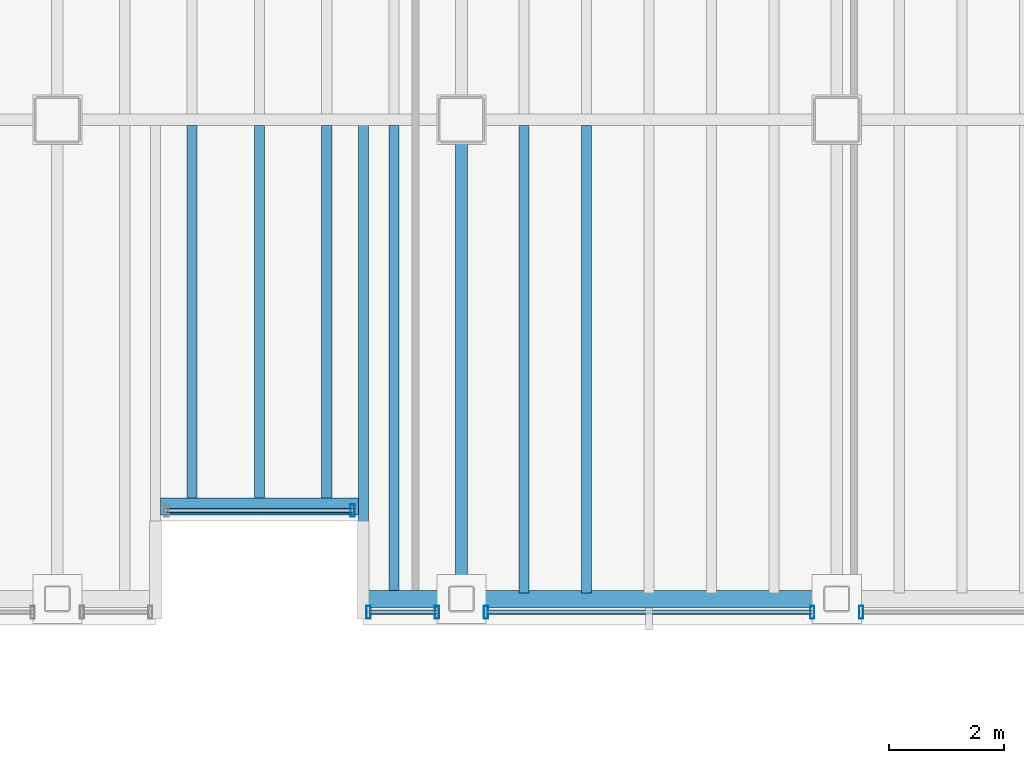
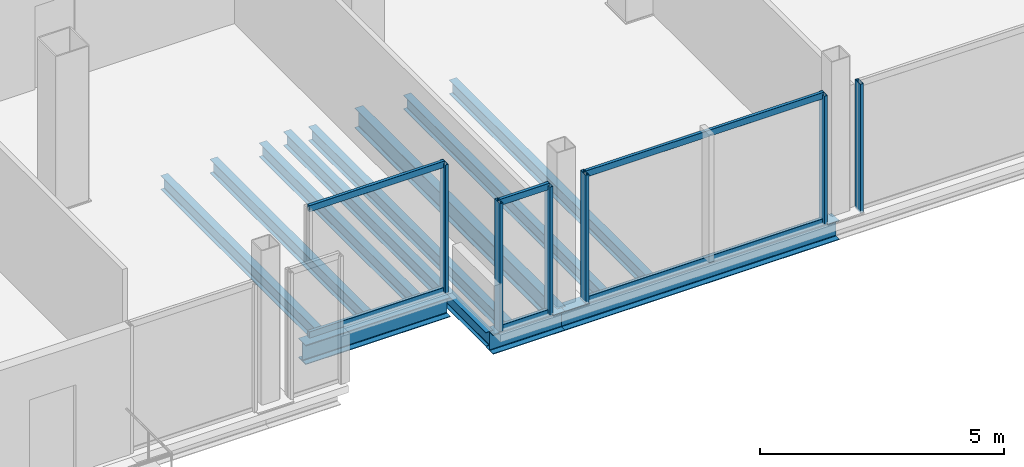
# One storey, part 4 of 15: 12 members, 11 beams, 4 elements without a shape of their own.
"""IFC4 building model written with IfcOpenShell, lengths in metres."""

from ifc_helpers import new_model, si_unit, direction, frame, origin, origin_2d, place, context, subcontext, project, spatial, hollow_rectangle, i_section, extrude, material, material_profile, profile_set, type_object, element, aggregate, save


model = new_model("IFC4")

# Units and contexts
model_context = context("Model", 3, precision=1e-05, world=origin(), true_north=direction((0.0, 1.0)))
body_context = subcontext(model_context, "Body", "Model", "MODEL_VIEW")
ifc_project = project(units=[si_unit("LENGTHUNIT", "METRE"), si_unit("AREAUNIT", "SQUARE_METRE"), si_unit("VOLUMEUNIT", "CUBIC_METRE"), si_unit("PLANEANGLEUNIT", "RADIAN"), si_unit("MASSUNIT", "GRAM", prefix="KILO")], contexts=[model_context])

# Site, building, storey
site_placement = place(None, origin())
site = spatial("IfcSite", under=ifc_project, at=site_placement, CompositionType="ELEMENT")
building_placement = place(site_placement, origin())
building = spatial("IfcBuilding", under=site, at=building_placement, Name="Noeulbin Bourse Tower", CompositionType="ELEMENT")
storey_placement = place(building_placement, frame((0.0, 0.0, 215.0)))
storey = spatial("IfcBuildingStorey", under=building, at=storey_placement, Name="L53", CompositionType="ELEMENT", Elevation=215.0)

# Beams
ifc_material_1 = material(Name="Steel S355", Category="steel")
ifc_material_profile_1 = material_profile(ifc_material_1, i_section(OverallWidth=0.199951171875, OverallDepth=0.5, WebThickness=0.010009765625, FlangeThickness=0.01611328125, FilletRadius=0.02001953125, at=origin_2d()), Name="H-500x200x10x16", Category="LoadBearing")
ifc_profile_set_1 = profile_set([ifc_material_profile_1], Name="Steel S355")
beam_type_1 = type_object("IfcBeamType", Name="BM-GRD-500", PredefinedType="USERDEFINED", material=ifc_profile_set_1)
beam_1_placement = place(storey_placement, frame((31.0, 11.699951171875, -0.429931640625), z_axis=(0.0, 1.0, 0.0), x_axis=(-1.0, 0.0, 0.0)))
element("IfcBeam", 1, at=beam_1_placement, inside=storey, type_object=beam_type_1, Name="Tower Primary Girder NS L53-3.1", ObjectType="GIRDER", PredefinedType="USERDEFINED", context=body_context, shape_type="SweptSolid", body=[
    extrude(i_section(OverallWidth=0.199951171875, OverallDepth=0.5, WebThickness=0.010009765625, FlangeThickness=0.01611328125, FilletRadius=0.02001953125, at=origin_2d()), origin(), (0.0, 0.0, 1.0), 8.300048828125),
])
ifc_material_profile_2 = material_profile(ifc_material_1, i_section(OverallWidth=0.175048828125, OverallDepth=0.35009765625, WebThickness=0.007080078125, FlangeThickness=0.010986328125, FilletRadius=0.013916015625, at=origin_2d()), Name="H-350x175x7x11", Category="LoadBearing")
ifc_profile_set_2 = profile_set([ifc_material_profile_2], Name="Steel S355")
beam_type_2 = type_object("IfcBeamType", Name="BM-JST-350", PredefinedType="JOIST", material=ifc_profile_set_2)
beam_2_placement = place(storey_placement, frame((29.300048828125, 11.699951171875, -0.35498046875), z_axis=(0.0, 1.0, 0.0), x_axis=(-1.0, 0.0, 0.0)))
element("IfcBeam", 2, at=beam_2_placement, inside=storey, type_object=beam_type_2, Name="BM-L53-SRT-E", PredefinedType="JOIST", context=body_context, shape_type="SweptSolid", body=[
    extrude(i_section(OverallWidth=0.175048828125, OverallDepth=0.35009765625, WebThickness=0.007080078125, FlangeThickness=0.010986328125, FilletRadius=0.013916015625, at=origin_2d()), origin(), (0.0, 0.0, 1.0), 8.300048828125),
])
for number, where, z_axis, x_axis, name in (
    (3, (26.333251953125, 13.39990234375, -0.35498046875), (0.0, 1.0, 0.0), (-1.0, 0.0, 0.0), "Tower Composite Joist L53-19"),
    (4, (27.5, 13.39990234375, -0.35498046875), (0.0, 1.0, 0.0), (-1.0, 0.0, 0.0), "Tower Composite Joist L53-21"),
    (5, (28.666748046875, 13.39990234375, -0.35498046875), (0.0, 1.0, 0.0), (-1.0, 0.0, 0.0), "Tower Composite Joist L53-23"),
):
    element("IfcBeam", number, at=place(storey_placement, frame(where, z_axis=z_axis, x_axis=x_axis)), inside=storey, type_object=beam_type_2, Name=name, PredefinedType="JOIST", context=body_context, shape_type="SweptSolid", body=[
        extrude(i_section(OverallWidth=0.175048828125, OverallDepth=0.35009765625, WebThickness=0.007080078125, FlangeThickness=0.010986328125, FilletRadius=0.013916015625, at=origin_2d()), origin(), (0.0, 0.0, 1.0), 6.5),
    ])
for number, where, z_axis, x_axis, name in (
    (6, (29.833251953125, 11.800048828125, -0.35498046875), (0.0, 1.0, 0.0), (-1.0, 0.0, 0.0), "Tower Composite Joist L53-25"),
    (7, (32.083251953125, 11.800048828125, -0.35498046875), (0.0, 1.0, 0.0), (-1.0, 0.0, 0.0), "Tower Composite Joist L53-27"),
    (8, (33.166748046875, 11.800048828125, -0.35498046875), (0.0, 1.0, 0.0), (-1.0, 0.0, 0.0), "Tower Composite Joist L53-29"),
):
    element("IfcBeam", number, at=place(storey_placement, frame(where, z_axis=z_axis, x_axis=x_axis)), inside=storey, type_object=beam_type_2, Name=name, PredefinedType="JOIST", context=body_context, shape_type="SweptSolid", body=[
        extrude(i_section(OverallWidth=0.175048828125, OverallDepth=0.35009765625, WebThickness=0.007080078125, FlangeThickness=0.010986328125, FilletRadius=0.013916015625, at=origin_2d()), origin(), (0.0, 0.0, 1.0), 8.099853515625),
    ])
ifc_material_profile_3 = material_profile(ifc_material_1, i_section(OverallWidth=0.300048828125, OverallDepth=0.488037109375, WebThickness=0.010986328125, FlangeThickness=0.01806640625, FilletRadius=0.02197265625, at=origin_2d()), Name="H-488x300x11x18", Category="LoadBearing")
ifc_profile_set_3 = profile_set([ifc_material_profile_3], Name="Steel S355")
beam_type_3 = type_object("IfcBeamType", Name="BM-SPN-488", PredefinedType="SPANDREL", material=ifc_profile_set_3)
beam_3_placement = place(storey_placement, frame((25.78759765625, 13.300048828125, -0.424072265625), z_axis=(1.0, 0.0, 0.0), x_axis=(0.0, 1.0, 0.0)))
element("IfcBeam", 9, at=beam_3_placement, inside=storey, type_object=beam_type_3, Name="South Recess Spandrel L53-2B", PredefinedType="SPANDREL", context=body_context, shape_type="SweptSolid", body=[
    extrude(i_section(OverallWidth=0.300048828125, OverallDepth=0.488037109375, WebThickness=0.010986328125, FlangeThickness=0.01806640625, FilletRadius=0.02197265625, at=origin_2d()), origin(), (0.0, 0.0, 1.0), 3.4248046875),
])
beam_4_placement = place(storey_placement, frame((29.300048828125, 11.699951171875, -0.424072265625), z_axis=(1.0, 0.0, 0.0), x_axis=(0.0, 1.0, 0.0)))
element("IfcBeam", 10, at=beam_4_placement, inside=storey, type_object=beam_type_3, Name="South Spandrel L53-2C", PredefinedType="SPANDREL", context=body_context, shape_type="SweptSolid", body=[
    extrude(i_section(OverallWidth=0.300048828125, OverallDepth=0.488037109375, WebThickness=0.010986328125, FlangeThickness=0.01806640625, FilletRadius=0.02197265625, at=origin_2d()), origin(), (0.0, 0.0, 1.0), 1.699951171875),
])
beam_5_placement = place(storey_placement, frame((31.0, 11.699951171875, -0.424072265625), z_axis=(1.0, 0.0, 0.0), x_axis=(0.0, 1.0, 0.0)))
element("IfcBeam", 11, at=beam_5_placement, inside=storey, type_object=beam_type_3, Name="South Spandrel L53-3", PredefinedType="SPANDREL", context=body_context, shape_type="SweptSolid", body=[
    extrude(i_section(OverallWidth=0.300048828125, OverallDepth=0.488037109375, WebThickness=0.010986328125, FlangeThickness=0.01806640625, FilletRadius=0.02197265625, at=origin_2d()), origin(), (0.0, 0.0, 1.0), 6.5),
])

# Curtain wall, member
ifc_material_2 = material(Name="High-Selectivity Low-Iron Glazing", Category="glass")
curtain_wall_type = type_object("IfcCurtainWallType", Name="CW-SYS-4", PredefinedType="NOTDEFINED", material=ifc_material_2)
curtain_wall_1_placement = place(storey_placement, origin())
curtain_wall_1 = element("IfcCurtainWall", 12, at=curtain_wall_1_placement, inside=storey, type_object=curtain_wall_type, Name="Unitised Curtain Wall CW-L53-SREC", PredefinedType="NOTDEFINED")
ifc_material_3 = material(Name="Anodised Aluminium 6063-T6", Category="aluminium")
ifc_material_profile_4 = material_profile(ifc_material_3, hollow_rectangle(XDim=0.074951171875, YDim=0.219970703125, WallThickness=0.0048828125, InnerFilletRadius=0.00244140625, OuterFilletRadius=0.0048828125, at=origin_2d()), Name="ALU-MULL-75x220x5", Category="LoadBearing")
ifc_profile_set_4 = profile_set([ifc_material_profile_4], Name="Anodised Aluminium 6063-T6")
member_type_1 = type_object("IfcMemberType", Name="CW-SYS-4-MUL", PredefinedType="MULLION", material=ifc_profile_set_4)
member_1_placement = place(storey_placement, frame((29.110107421875, 13.22998046875, -0.02001953125), z_axis=(0.0, 0.0, 1.0), x_axis=(1.0, 0.0, 0.0)))
member_1 = element("IfcMember", 13, at=member_1_placement, type_object=member_type_1, Name="Curtain Wall Mullion CW-L53-SREC-M01", PredefinedType="MULLION", context=body_context, shape_type="SweptSolid", body=[
    extrude(hollow_rectangle(XDim=0.074951171875, YDim=0.219970703125, WallThickness=0.0048828125, InnerFilletRadius=0.00244140625, OuterFilletRadius=0.0048828125, at=origin_2d()), origin(), (0.0, 0.0, 1.0), 3.219970703125),
])

# Curtain wall, members
curtain_wall_2_placement = place(storey_placement, origin())
curtain_wall_2 = element("IfcCurtainWall", 14, at=curtain_wall_2_placement, inside=storey, type_object=curtain_wall_type, Name="Unitised Curtain Wall CW-L53-S3-S1", PredefinedType="NOTDEFINED")
member_2_placement = place(storey_placement, frame((29.389892578125, 11.469970703125, -0.02001953125), z_axis=(0.0, 0.0, 1.0), x_axis=(1.0, 0.0, 0.0)))
member_2 = element("IfcMember", 15, at=member_2_placement, type_object=member_type_1, Name="Curtain Wall Mullion CW-L53-S3-S1-M00", PredefinedType="MULLION", context=body_context, shape_type="SweptSolid", body=[
    extrude(hollow_rectangle(XDim=0.074951171875, YDim=0.219970703125, WallThickness=0.0048828125, InnerFilletRadius=0.00244140625, OuterFilletRadius=0.0048828125, at=origin_2d()), origin(), (0.0, 0.0, 1.0), 3.219970703125),
])
member_3_placement = place(storey_placement, frame((30.574951171875, 11.469970703125, -0.02001953125), z_axis=(0.0, 0.0, 1.0), x_axis=(1.0, 0.0, 0.0)))
member_3 = element("IfcMember", 16, at=member_3_placement, type_object=member_type_1, Name="Curtain Wall Mullion CW-L53-S3-S1-M01", PredefinedType="MULLION", context=body_context, shape_type="SweptSolid", body=[
    extrude(hollow_rectangle(XDim=0.074951171875, YDim=0.219970703125, WallThickness=0.0048828125, InnerFilletRadius=0.00244140625, OuterFilletRadius=0.0048828125, at=origin_2d()), origin(), (0.0, 0.0, 1.0), 3.219970703125),
])

curtain_wall_3_placement = place(storey_placement, origin())
curtain_wall_3 = element("IfcCurtainWall", 17, at=curtain_wall_3_placement, inside=storey, type_object=curtain_wall_type, Name="Unitised Curtain Wall CW-L53-S3-S2", PredefinedType="NOTDEFINED")
member_4_placement = place(storey_placement, frame((31.425048828125, 11.469970703125, -0.02001953125), z_axis=(0.0, 0.0, 1.0), x_axis=(1.0, 0.0, 0.0)))
member_4 = element("IfcMember", 18, at=member_4_placement, type_object=member_type_1, Name="Curtain Wall Mullion CW-L53-S3-S2-M00", PredefinedType="MULLION", context=body_context, shape_type="SweptSolid", body=[
    extrude(hollow_rectangle(XDim=0.074951171875, YDim=0.219970703125, WallThickness=0.0048828125, InnerFilletRadius=0.00244140625, OuterFilletRadius=0.0048828125, at=origin_2d()), origin(), (0.0, 0.0, 1.0), 3.219970703125),
])
member_5_placement = place(storey_placement, frame((37.074951171875, 11.469970703125, -0.02001953125), z_axis=(0.0, 0.0, 1.0), x_axis=(1.0, 0.0, 0.0)))
member_5 = element("IfcMember", 19, at=member_5_placement, type_object=member_type_1, Name="Curtain Wall Mullion CW-L53-S3-S2-M01", PredefinedType="MULLION", context=body_context, shape_type="SweptSolid", body=[
    extrude(hollow_rectangle(XDim=0.074951171875, YDim=0.219970703125, WallThickness=0.0048828125, InnerFilletRadius=0.00244140625, OuterFilletRadius=0.0048828125, at=origin_2d()), origin(), (0.0, 0.0, 1.0), 3.219970703125),
])

# Curtain wall, member
curtain_wall_4_placement = place(storey_placement, origin())
curtain_wall_4 = element("IfcCurtainWall", 20, at=curtain_wall_4_placement, inside=storey, type_object=curtain_wall_type, Name="Unitised Curtain Wall CW-L53-S3-S3", PredefinedType="NOTDEFINED")
member_6_placement = place(storey_placement, frame((37.925048828125, 11.469970703125, -0.02001953125), z_axis=(0.0, 0.0, 1.0), x_axis=(1.0, 0.0, 0.0)))
member_6 = element("IfcMember", 21, at=member_6_placement, type_object=member_type_1, Name="Curtain Wall Mullion CW-L53-S3-S3-M00", PredefinedType="MULLION", context=body_context, shape_type="SweptSolid", body=[
    extrude(hollow_rectangle(XDim=0.074951171875, YDim=0.219970703125, WallThickness=0.0048828125, InnerFilletRadius=0.00244140625, OuterFilletRadius=0.0048828125, at=origin_2d()), origin(), (0.0, 0.0, 1.0), 3.219970703125),
])
aggregate(curtain_wall_4, [member_6])

# Member
ifc_material_profile_5 = material_profile(ifc_material_3, hollow_rectangle(XDim=0.074951171875, YDim=0.159912109375, WallThickness=0.0048828125, InnerFilletRadius=0.00244140625, OuterFilletRadius=0.0048828125, at=origin_2d()), Name="ALU-TRAN-75x160x5", Category="LoadBearing")
ifc_profile_set_5 = profile_set([ifc_material_profile_5], Name="Anodised Aluminium 6063-T6")
member_type_2 = type_object("IfcMemberType", Name="CW-SYS-4-TRN", PredefinedType="USERDEFINED", material=ifc_profile_set_5)
member_7_placement = place(storey_placement, frame((25.89990234375, 13.22998046875, 0.010009765625), z_axis=(1.0, 0.0, 0.0), x_axis=(0.0, 1.0, 0.0)))
member_7 = element("IfcMember", 22, at=member_7_placement, type_object=member_type_2, Name="Curtain Wall Transom CW-L53-SREC-T00", ObjectType="TRANSOM", PredefinedType="USERDEFINED", context=body_context, shape_type="SweptSolid", body=[
    extrude(hollow_rectangle(XDim=0.074951171875, YDim=0.159912109375, WallThickness=0.0048828125, InnerFilletRadius=0.00244140625, OuterFilletRadius=0.0048828125, at=origin_2d()), origin(), (0.0, 0.0, 1.0), 3.2001953125),
])

member_8_placement = place(storey_placement, frame((25.89990234375, 13.22998046875, 3.169921875), z_axis=(1.0, 0.0, 0.0), x_axis=(0.0, 1.0, 0.0)))
member_8 = element("IfcMember", 23, at=member_8_placement, type_object=member_type_2, Name="Curtain Wall Transom CW-L53-SREC-T01", ObjectType="TRANSOM", PredefinedType="USERDEFINED", context=body_context, shape_type="SweptSolid", body=[
    extrude(hollow_rectangle(XDim=0.074951171875, YDim=0.159912109375, WallThickness=0.0048828125, InnerFilletRadius=0.00244140625, OuterFilletRadius=0.0048828125, at=origin_2d()), origin(), (0.0, 0.0, 1.0), 3.2001953125),
])

aggregate(curtain_wall_1, [member_1, member_7, member_8])

member_9_placement = place(storey_placement, frame((29.39990234375, 11.469970703125, 0.010009765625), z_axis=(1.0, 0.0, 0.0), x_axis=(0.0, 1.0, 0.0)))
member_9 = element("IfcMember", 24, at=member_9_placement, type_object=member_type_2, Name="Curtain Wall Transom CW-L53-S3-S1-T00", ObjectType="TRANSOM", PredefinedType="USERDEFINED", context=body_context, shape_type="SweptSolid", body=[
    extrude(hollow_rectangle(XDim=0.074951171875, YDim=0.159912109375, WallThickness=0.0048828125, InnerFilletRadius=0.00244140625, OuterFilletRadius=0.0048828125, at=origin_2d()), origin(), (0.0, 0.0, 1.0), 1.1650390625),
])

member_10_placement = place(storey_placement, frame((29.39990234375, 11.469970703125, 3.169921875), z_axis=(1.0, 0.0, 0.0), x_axis=(0.0, 1.0, 0.0)))
member_10 = element("IfcMember", 25, at=member_10_placement, type_object=member_type_2, Name="Curtain Wall Transom CW-L53-S3-S1-T01", ObjectType="TRANSOM", PredefinedType="USERDEFINED", context=body_context, shape_type="SweptSolid", body=[
    extrude(hollow_rectangle(XDim=0.074951171875, YDim=0.159912109375, WallThickness=0.0048828125, InnerFilletRadius=0.00244140625, OuterFilletRadius=0.0048828125, at=origin_2d()), origin(), (0.0, 0.0, 1.0), 1.1650390625),
])

aggregate(curtain_wall_2, [member_2, member_3, member_9, member_10])

member_11_placement = place(storey_placement, frame((31.43505859375, 11.469970703125, 0.010009765625), z_axis=(1.0, 0.0, 0.0), x_axis=(0.0, 1.0, 0.0)))
member_11 = element("IfcMember", 26, at=member_11_placement, type_object=member_type_2, Name="Curtain Wall Transom CW-L53-S3-S2-T00", ObjectType="TRANSOM", PredefinedType="USERDEFINED", context=body_context, shape_type="SweptSolid", body=[
    extrude(hollow_rectangle(XDim=0.074951171875, YDim=0.159912109375, WallThickness=0.0048828125, InnerFilletRadius=0.00244140625, OuterFilletRadius=0.0048828125, at=origin_2d()), origin(), (0.0, 0.0, 1.0), 5.6298828125),
])

member_12_placement = place(storey_placement, frame((31.43505859375, 11.469970703125, 3.169921875), z_axis=(1.0, 0.0, 0.0), x_axis=(0.0, 1.0, 0.0)))
member_12 = element("IfcMember", 27, at=member_12_placement, type_object=member_type_2, Name="Curtain Wall Transom CW-L53-S3-S2-T01", ObjectType="TRANSOM", PredefinedType="USERDEFINED", context=body_context, shape_type="SweptSolid", body=[
    extrude(hollow_rectangle(XDim=0.074951171875, YDim=0.159912109375, WallThickness=0.0048828125, InnerFilletRadius=0.00244140625, OuterFilletRadius=0.0048828125, at=origin_2d()), origin(), (0.0, 0.0, 1.0), 5.6298828125),
])

aggregate(curtain_wall_3, [member_4, member_5, member_11, member_12])

save(model, "model.ifc")
